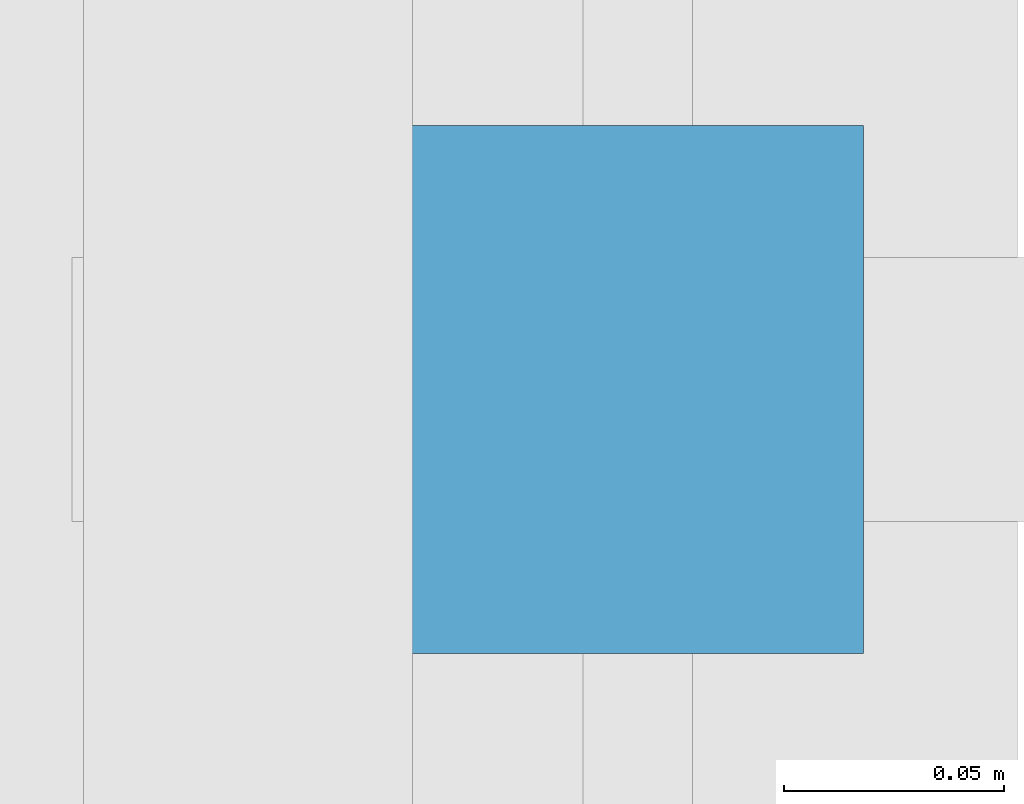
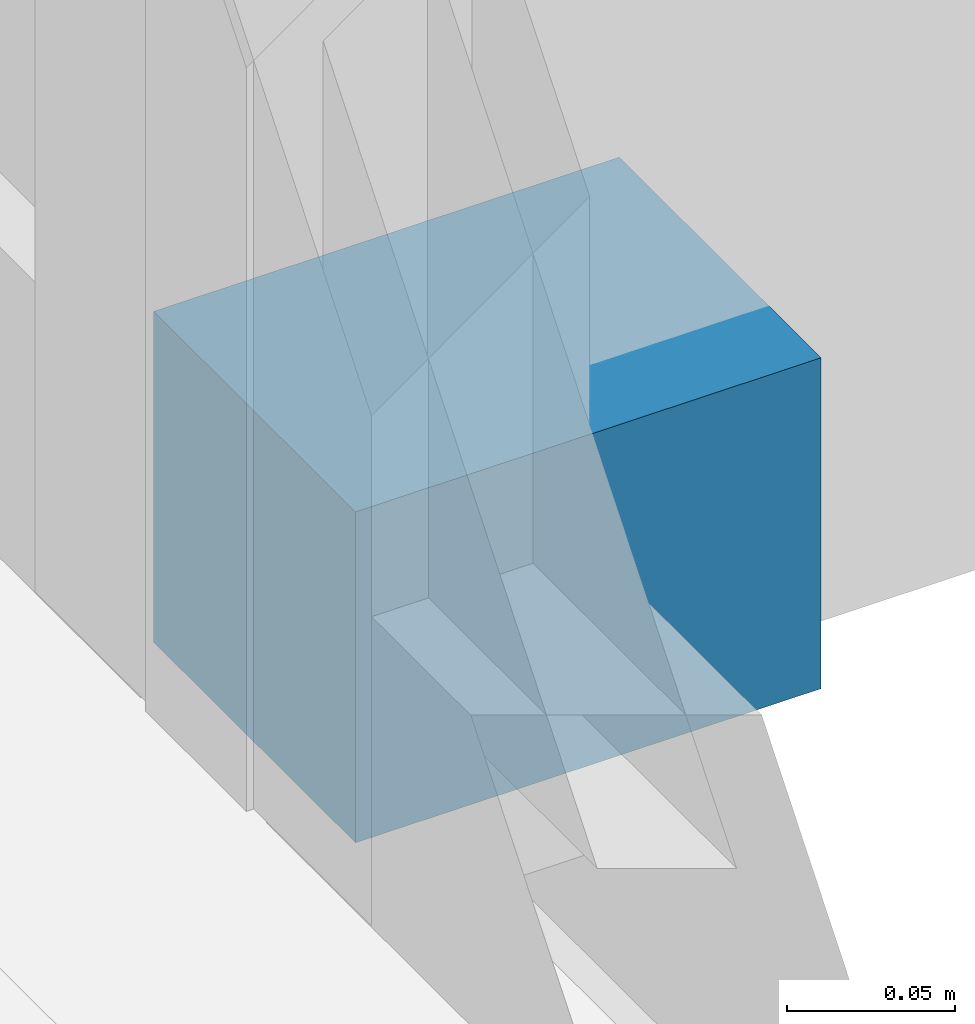
# One storey, part 35 of 55: 1 discrete accessory.
"""IFC4 building model written with IfcOpenShell, lengths in metres."""

from ifc_helpers import new_model, si_unit, direction, frame, origin, origin_2d, place, context, subcontext, project, spatial, rectangle, extrude, material, type_object, element, save


model = new_model("IFC4")

# Units and contexts
model_context = context("Model", 3, precision=1e-05, world=origin(), true_north=direction((0.0, 1.0)))
body_context = subcontext(model_context, "Body", "Model", "MODEL_VIEW")
ifc_project = project(units=[si_unit("LENGTHUNIT", "METRE"), si_unit("AREAUNIT", "SQUARE_METRE"), si_unit("VOLUMEUNIT", "CUBIC_METRE"), si_unit("PLANEANGLEUNIT", "RADIAN"), si_unit("MASSUNIT", "GRAM", prefix="KILO")], contexts=[model_context])

# Site, building, storey
site_placement = place(None, origin())
site = spatial("IfcSite", under=ifc_project, at=site_placement, CompositionType="ELEMENT")
building_placement = place(site_placement, origin())
building = spatial("IfcBuilding", under=site, at=building_placement, Name="Namkhue Oval Health Centre", CompositionType="ELEMENT")
storey_placement = place(building_placement, frame((0.0, 0.0, 9.60009765625)))
storey = spatial("IfcBuildingStorey", under=building, at=storey_placement, Name="L02", CompositionType="ELEMENT", Elevation=9.60009765625)

# Discrete accessory
ifc_material = material(Name="Structural steel S355JR (TCVN CCT38)", Category="steel")
discrete_accessory_type = type_object("IfcDiscreteAccessoryType", Name="FACADE SHADING BRACKET", PredefinedType="BRACKET", material=ifc_material)
discrete_accessory_placement = place(storey_placement, frame((122.4599609375, 100.800048828125, -0.000244140625), z_axis=(0.0, 0.0, 1.0), x_axis=(1.0, 0.0, 0.0)))
element("IfcDiscreteAccessory", 1, at=discrete_accessory_placement, inside=storey, type_object=discrete_accessory_type, Name="Solar Fin Bracket 148", PredefinedType="BRACKET", context=body_context, shape_type="SweptSolid", body=[
    extrude(rectangle(XDim=0.159912109375, YDim=0.1201171875, at=origin_2d()), origin(), (0.0, 0.0, 1.0), 0.1201171875),
])

save(model, "model.ifc")
